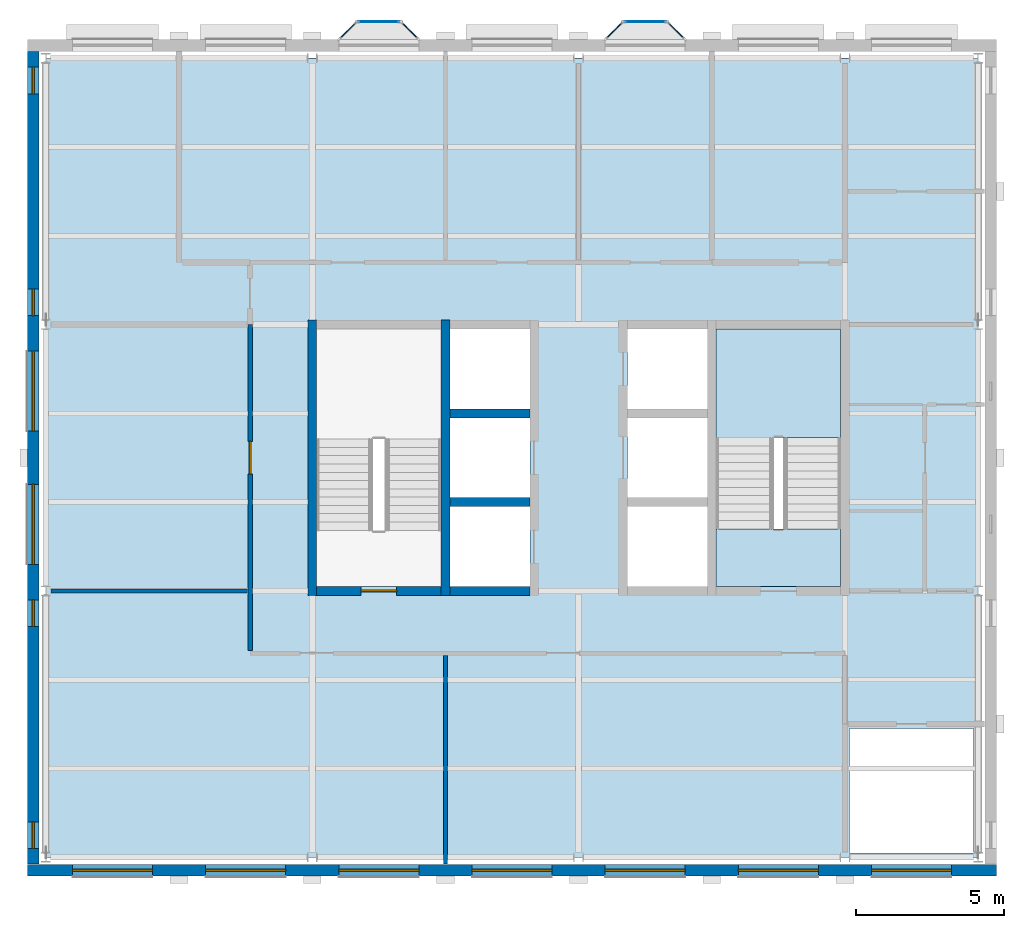
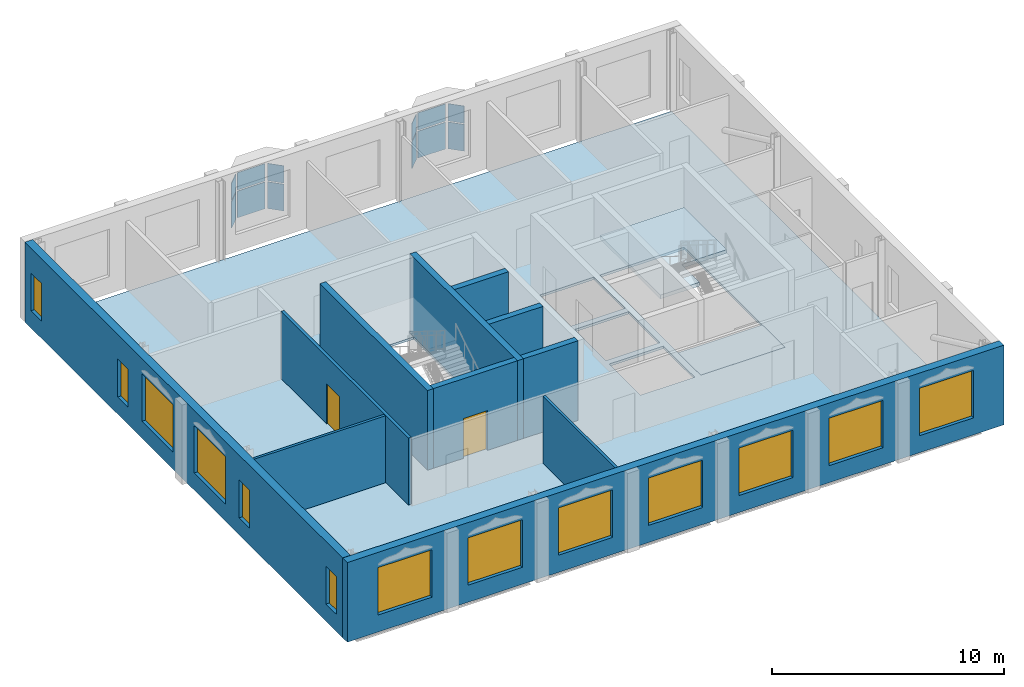
# One storey, part 3 of 9: 13 windows, 12 plates, 11 walls, 3 slabs, 2 doors, 15 openings, 7 elements without a shape of their own.
"""IFC4 building model written with IfcOpenShell, lengths in metres."""

from ifc_helpers import new_model, si_unit, direction, frame, frame_2d, origin, origin_2d, place, context, subcontext, project, spatial, polyline, rectangle, outline, extrude, material, layer, layer_set, type_object, element, fill, aggregate, save


model = new_model("IFC4")

# Units and contexts
model_context = context("Model", 3, precision=1e-05, world=origin(), true_north=direction((0.0, 1.0)))
body_context = subcontext(model_context, "Body", "Model", "MODEL_VIEW")
ifc_project = project(units=[si_unit("LENGTHUNIT", "METRE"), si_unit("AREAUNIT", "SQUARE_METRE"), si_unit("VOLUMEUNIT", "CUBIC_METRE"), si_unit("PLANEANGLEUNIT", "RADIAN"), si_unit("MASSUNIT", "GRAM", prefix="KILO")], contexts=[model_context])

# Site, building, storey
site_placement = place(None, origin())
site = spatial("IfcSite", under=ifc_project, at=site_placement, CompositionType="ELEMENT")
building_placement = place(site_placement, origin())
building = spatial("IfcBuilding", under=site, at=building_placement, Name="Hortulan Conservatory and Botanical Research Centre", CompositionType="ELEMENT")
storey_placement = place(building_placement, frame((0.0, 0.0, 36.0)))
storey = spatial("IfcBuildingStorey", under=building, at=storey_placement, Name="L08", CompositionType="ELEMENT", Elevation=36.0)

# Slab
ifc_material_1 = material(Name="Concrete N32 (32 MPa, AS 3600)", Category="concrete")
ifc_layer_1 = layer(ifc_material_1, 0.1298828125)
ifc_layer_set_1 = layer_set([ifc_layer_1], Name="Composite Floor Slab 130")
slab_type_1 = type_object("IfcSlabType", Name="Composite Floor Slab 130", PredefinedType="FLOOR", material=ifc_layer_set_1)
slab_1_placement = place(storey_placement, frame((0.0, 0.0, -0.1298828125)))
element("IfcSlab", 1, at=slab_1_placement, inside=storey, type_object=slab_type_1, Name="Floor slab", PredefinedType="FLOOR", context=body_context, shape_type="SweptSolid", body=[
    extrude(outline(polyline([(0.0, 0.0), (31.5, 0.0), (31.5, 27.0), (0.0, 27.0), (0.0, 0.0)]), holes=[polyline([(27.14990234375, 4.35009765625), (27.14990234375, 0.14990234375), (31.35009765625, 0.14990234375), (31.35009765625, 4.35009765625), (27.14990234375, 4.35009765625)]), polyline([(13.64990234375, 11.85009765625), (13.64990234375, 9.14990234375), (16.35009765625, 9.14990234375), (16.35009765625, 11.85009765625), (13.64990234375, 11.85009765625)]), polyline([(19.64990234375, 11.85009765625), (19.64990234375, 9.14990234375), (22.35009765625, 9.14990234375), (22.35009765625, 11.85009765625), (19.64990234375, 11.85009765625)]), polyline([(9.14990234375, 17.85009765625), (9.14990234375, 9.14990234375), (13.35009765625, 9.14990234375), (13.35009765625, 17.85009765625), (9.14990234375, 17.85009765625)]), polyline([(13.64990234375, 14.85009765625), (13.64990234375, 12.14990234375), (16.35009765625, 12.14990234375), (16.35009765625, 14.85009765625), (13.64990234375, 14.85009765625)]), polyline([(19.64990234375, 14.85009765625), (19.64990234375, 12.14990234375), (22.35009765625, 12.14990234375), (22.35009765625, 14.85009765625), (19.64990234375, 14.85009765625)]), polyline([(22.64990234375, 17.85009765625), (22.64990234375, 9.14990234375), (26.85009765625, 9.14990234375), (26.85009765625, 17.85009765625), (22.64990234375, 17.85009765625)]), polyline([(16.35009765625, 17.85009765625), (13.64990234375, 17.85009765625), (13.64990234375, 15.14990234375), (16.35009765625, 15.14990234375), (16.35009765625, 17.85009765625)]), polyline([(22.35009765625, 17.85009765625), (19.64990234375, 17.85009765625), (19.64990234375, 15.14990234375), (22.35009765625, 15.14990234375), (22.35009765625, 17.85009765625)])]), origin(), (0.0, 0.0, 1.0), 0.1298828125),
])

# Curtain wall, plates
ifc_material_2 = material(Name="Bronze-finished aluminium", Category="aluminium")
ifc_layer_2 = layer(ifc_material_2, 0.10009765625)
ifc_layer_set_2 = layer_set([ifc_layer_2], Name="Oriel Curtain Wall 1350 module")
curtain_wall_type = type_object("IfcCurtainWallType", Name="Oriel Curtain Wall 1350 module", PredefinedType="NOTDEFINED", material=ifc_layer_set_2)
curtain_wall_1_placement = place(storey_placement, origin())
curtain_wall_1 = element("IfcCurtainWall", 2, at=curtain_wall_1_placement, inside=storey, type_object=curtain_wall_type, Name="Oriel glazing", PredefinedType="NOTDEFINED")
ifc_material_3 = material(Name="Low-e laminated glass", Category="glass")
ifc_layer_3 = layer(ifc_material_3, 0.028076171875)
ifc_layer_set_3 = layer_set([ifc_layer_3], Name="Laminated Glass Panel 28")
plate_type = type_object("IfcPlateType", Name="Laminated Glass Panel 28", PredefinedType="CURTAIN_PANEL", material=ifc_layer_set_3)
plate_1_placement = place(storey_placement, frame((10.199951171875, 27.93603515625, 0.9599609375), z_axis=(0.0, 0.0, 1.0), x_axis=(0.707106781187, 0.707106781187, 0.0)))
plate_1 = element("IfcPlate", 3, at=plate_1_placement, type_object=plate_type, Name="CW2 panel 1.1", PredefinedType="CURTAIN_PANEL", context=body_context, shape_type="SweptSolid", body=[
    extrude(rectangle(XDim=0.728515625, YDim=0.028076171875, at=origin_2d()), origin(), (0.0, 0.0, 1.0), 1.409912109375),
])
plate_2_placement = place(storey_placement, frame((10.199951171875, 27.93603515625, 2.43017578125), z_axis=(0.0, 0.0, 1.0), x_axis=(0.707106781187, 0.707106781187, 0.0)))
plate_2 = element("IfcPlate", 4, at=plate_2_placement, type_object=plate_type, Name="CW2 panel 1.2", PredefinedType="CURTAIN_PANEL", context=body_context, shape_type="SweptSolid", body=[
    extrude(rectangle(XDim=0.728515625, YDim=0.028076171875, at=origin_2d()), origin(), (0.0, 0.0, 1.0), 0.909912109375),
])
aggregate(curtain_wall_1, [plate_1, plate_2])

curtain_wall_2_placement = place(storey_placement, origin())
curtain_wall_2 = element("IfcCurtainWall", 5, at=curtain_wall_2_placement, inside=storey, type_object=curtain_wall_type, Name="Oriel glazing", PredefinedType="NOTDEFINED")
plate_3_placement = place(storey_placement, frame((11.25, 28.236083984375, 0.9599609375), z_axis=(0.0, 0.0, 1.0), x_axis=(1.0, 0.0, 0.0)))
plate_3 = element("IfcPlate", 6, at=plate_3_placement, type_object=plate_type, Name="CW2 panel 1.1", PredefinedType="CURTAIN_PANEL", context=body_context, shape_type="SweptSolid", body=[
    extrude(rectangle(XDim=1.3798828125, YDim=0.028076171875, at=origin_2d()), origin(), (0.0, 0.0, 1.0), 1.409912109375),
])
plate_4_placement = place(storey_placement, frame((11.25, 28.236083984375, 2.43017578125), z_axis=(0.0, 0.0, 1.0), x_axis=(1.0, 0.0, 0.0)))
plate_4 = element("IfcPlate", 7, at=plate_4_placement, type_object=plate_type, Name="CW2 panel 1.2", PredefinedType="CURTAIN_PANEL", context=body_context, shape_type="SweptSolid", body=[
    extrude(rectangle(XDim=1.3798828125, YDim=0.028076171875, at=origin_2d()), origin(), (0.0, 0.0, 1.0), 0.909912109375),
])
aggregate(curtain_wall_2, [plate_3, plate_4])

curtain_wall_3_placement = place(storey_placement, origin())
curtain_wall_3 = element("IfcCurtainWall", 8, at=curtain_wall_3_placement, inside=storey, type_object=curtain_wall_type, Name="Oriel glazing", PredefinedType="NOTDEFINED")
plate_5_placement = place(storey_placement, frame((12.300048828125, 27.93603515625, 0.9599609375), z_axis=(0.0, 0.0, 1.0), x_axis=(0.707106781187, -0.707106781187, 0.0)))
plate_5 = element("IfcPlate", 9, at=plate_5_placement, type_object=plate_type, Name="CW2 panel 1.1", PredefinedType="CURTAIN_PANEL", context=body_context, shape_type="SweptSolid", body=[
    extrude(rectangle(XDim=0.728515625, YDim=0.028076171875, at=origin_2d()), origin(), (0.0, 0.0, 1.0), 1.409912109375),
])
plate_6_placement = place(storey_placement, frame((12.300048828125, 27.93603515625, 2.43017578125), z_axis=(0.0, 0.0, 1.0), x_axis=(0.707106781187, -0.707106781187, 0.0)))
plate_6 = element("IfcPlate", 10, at=plate_6_placement, type_object=plate_type, Name="CW2 panel 1.2", PredefinedType="CURTAIN_PANEL", context=body_context, shape_type="SweptSolid", body=[
    extrude(rectangle(XDim=0.728515625, YDim=0.028076171875, at=origin_2d()), origin(), (0.0, 0.0, 1.0), 0.909912109375),
])
aggregate(curtain_wall_3, [plate_5, plate_6])

curtain_wall_4_placement = place(storey_placement, origin())
curtain_wall_4 = element("IfcCurtainWall", 11, at=curtain_wall_4_placement, inside=storey, type_object=curtain_wall_type, Name="Oriel glazing", PredefinedType="NOTDEFINED")
plate_7_placement = place(storey_placement, frame((19.199951171875, 27.93603515625, 0.9599609375), z_axis=(0.0, 0.0, 1.0), x_axis=(0.707106781187, 0.707106781187, 0.0)))
plate_7 = element("IfcPlate", 12, at=plate_7_placement, type_object=plate_type, Name="CW2 panel 1.1", PredefinedType="CURTAIN_PANEL", context=body_context, shape_type="SweptSolid", body=[
    extrude(rectangle(XDim=0.728515625, YDim=0.028076171875, at=origin_2d()), origin(), (0.0, 0.0, 1.0), 1.409912109375),
])
plate_8_placement = place(storey_placement, frame((19.199951171875, 27.93603515625, 2.43017578125), z_axis=(0.0, 0.0, 1.0), x_axis=(0.707106781187, 0.707106781187, 0.0)))
plate_8 = element("IfcPlate", 13, at=plate_8_placement, type_object=plate_type, Name="CW2 panel 1.2", PredefinedType="CURTAIN_PANEL", context=body_context, shape_type="SweptSolid", body=[
    extrude(rectangle(XDim=0.728515625, YDim=0.028076171875, at=origin_2d()), origin(), (0.0, 0.0, 1.0), 0.909912109375),
])
aggregate(curtain_wall_4, [plate_7, plate_8])

curtain_wall_5_placement = place(storey_placement, origin())
curtain_wall_5 = element("IfcCurtainWall", 14, at=curtain_wall_5_placement, inside=storey, type_object=curtain_wall_type, Name="Oriel glazing", PredefinedType="NOTDEFINED")
plate_9_placement = place(storey_placement, frame((20.25, 28.236083984375, 0.9599609375), z_axis=(0.0, 0.0, 1.0), x_axis=(1.0, 0.0, 0.0)))
plate_9 = element("IfcPlate", 15, at=plate_9_placement, type_object=plate_type, Name="CW2 panel 1.1", PredefinedType="CURTAIN_PANEL", context=body_context, shape_type="SweptSolid", body=[
    extrude(rectangle(XDim=1.3798828125, YDim=0.028076171875, at=origin_2d()), origin(), (0.0, 0.0, 1.0), 1.409912109375),
])
plate_10_placement = place(storey_placement, frame((20.25, 28.236083984375, 2.43017578125), z_axis=(0.0, 0.0, 1.0), x_axis=(1.0, 0.0, 0.0)))
plate_10 = element("IfcPlate", 16, at=plate_10_placement, type_object=plate_type, Name="CW2 panel 1.2", PredefinedType="CURTAIN_PANEL", context=body_context, shape_type="SweptSolid", body=[
    extrude(rectangle(XDim=1.3798828125, YDim=0.028076171875, at=origin_2d()), origin(), (0.0, 0.0, 1.0), 0.909912109375),
])
aggregate(curtain_wall_5, [plate_9, plate_10])

curtain_wall_6_placement = place(storey_placement, origin())
curtain_wall_6 = element("IfcCurtainWall", 17, at=curtain_wall_6_placement, inside=storey, type_object=curtain_wall_type, Name="Oriel glazing", PredefinedType="NOTDEFINED")
plate_11_placement = place(storey_placement, frame((21.300048828125, 27.93603515625, 0.9599609375), z_axis=(0.0, 0.0, 1.0), x_axis=(0.707106781187, -0.707106781187, 0.0)))
plate_11 = element("IfcPlate", 18, at=plate_11_placement, type_object=plate_type, Name="CW2 panel 1.1", PredefinedType="CURTAIN_PANEL", context=body_context, shape_type="SweptSolid", body=[
    extrude(rectangle(XDim=0.728515625, YDim=0.028076171875, at=origin_2d()), origin(), (0.0, 0.0, 1.0), 1.409912109375),
])
plate_12_placement = place(storey_placement, frame((21.300048828125, 27.93603515625, 2.43017578125), z_axis=(0.0, 0.0, 1.0), x_axis=(0.707106781187, -0.707106781187, 0.0)))
plate_12 = element("IfcPlate", 19, at=plate_12_placement, type_object=plate_type, Name="CW2 panel 1.2", PredefinedType="CURTAIN_PANEL", context=body_context, shape_type="SweptSolid", body=[
    extrude(rectangle(XDim=0.728515625, YDim=0.028076171875, at=origin_2d()), origin(), (0.0, 0.0, 1.0), 0.909912109375),
])
aggregate(curtain_wall_6, [plate_11, plate_12])

# Stair, slab
ifc_material_4 = material(Name="Concrete N40 (40 MPa, AS 3600)", Category="concrete")
stair_type = type_object("IfcStairType", Name="Concrete Escape Stair 1950", PredefinedType="HALF_TURN_STAIR", material=ifc_material_4)
stair_placement = place(storey_placement, origin())
stair = element("IfcStair", 20, at=stair_placement, inside=storey, type_object=stair_type, Name="Stair T2 L08", PredefinedType="HALF_TURN_STAIR")
ifc_layer_4 = layer(ifc_material_4, 0.199951171875)
ifc_layer_set_4 = layer_set([ifc_layer_4], Name="Stair Landing 200")
slab_type_2 = type_object("IfcSlabType", Name="Stair Landing 200", PredefinedType="LANDING", material=ifc_layer_set_4)
slab_2_placement = place(storey_placement, frame((0.0, 0.0, 1.89990234375)))
slab_2 = element("IfcSlab", 21, at=slab_2_placement, type_object=slab_type_2, Name="Stair T2 L08 half landing 1", PredefinedType="LANDING", context=body_context, shape_type="SweptSolid", body=[
    extrude(outline(polyline([(26.85009765625, 14.179443359375), (24.60009765625, 14.179443359375), (24.60009765625, 12.639892578125), (22.64990234375, 12.639892578125), (22.64990234375, 14.179443359375), (22.64990234375, 14.179931640625), (22.64990234375, 14.18994140625), (22.64990234375, 17.85009765625), (26.85009765625, 17.85009765625), (26.85009765625, 14.18994140625), (26.85009765625, 14.179931640625), (26.85009765625, 14.179443359375)])), origin(), (0.0, 0.0, 1.0), 0.2001953125),
])
aggregate(stair, [slab_2])

# Slab
slab_3_placement = place(storey_placement, frame((0.0, 0.0, -0.199951171875)))
element("IfcSlab", 22, at=slab_3_placement, inside=storey, type_object=slab_type_2, Name="Stair T2 floor landing L08", PredefinedType="LANDING", context=body_context, shape_type="SweptSolid", body=[
    extrude(outline(polyline([(26.85009765625, 9.14990234375), (22.64990234375, 9.14990234375), (22.64990234375, 11.10009765625), (26.85009765625, 11.10009765625), (26.85009765625, 9.14990234375)])), origin(), (0.0, 0.0, 1.0), 0.199951171875),
])

# Walls
ifc_layer_5 = layer(ifc_material_4, 0.300048828125)
ifc_layer_set_5 = layer_set([ifc_layer_5], Name="Core Wall 300 N40 FRL 240/120/120")
wall_type_1 = type_object("IfcWallType", Name="Core Wall 300 N40 FRL 240/120/120", PredefinedType="SHEAR", material=ifc_layer_set_5)
for number, where, z_axis, x_axis, name in (
    (23, (9.0, 8.85009765625, 0.0), (0.0, 0.0, 1.0), (0.0, 1.0, 0.0), "Reinforced concrete shaft wall"),
    (24, (13.5, 8.85009765625, 0.0), (0.0, 0.0, 1.0), (0.0, 1.0, 0.0), "Reinforced concrete shaft wall"),
):
    element("IfcWall", number, at=place(storey_placement, frame(where, z_axis=z_axis, x_axis=x_axis)), inside=storey, type_object=wall_type_1, Name=name, PredefinedType="SHEAR", context=body_context, shape_type="SweptSolid", body=[
        extrude(rectangle(XDim=9.2998046875, YDim=0.300048828125, at=frame_2d((4.64990234375, 0.0))), origin(), (0.0, 0.0, 1.0), 4.199951171875),
    ])

# Wall, opening, door
wall_1_placement = place(storey_placement, frame((9.14990234375, 9.0, 0.0), z_axis=(0.0, 0.0, 1.0), x_axis=(1.0, 0.0, 0.0)))
wall_1 = element("IfcWall", 25, at=wall_1_placement, inside=storey, type_object=wall_type_1, Name="Reinforced concrete shaft wall", PredefinedType="SHEAR", context=body_context, shape_type="SweptSolid", body=[
    extrude(rectangle(XDim=4.2001953125, YDim=0.300048828125, at=frame_2d((2.10009765625, 0.0))), origin(), (0.0, 0.0, 1.0), 4.199951171875),
])
opening_1_placement = place(wall_1_placement, frame((1.5, 0.0, 0.0)))
opening_1 = element("IfcOpeningElement", 26, at=opening_1_placement, cuts=wall_1, Name="Opening DT5", PredefinedType="OPENING", context=body_context, shape_type="SweptSolid", body=[
    extrude(rectangle(XDim=1.199951171875, YDim=2.10009765625, at=frame_2d((0.60009765625, 1.050048828125))), frame((0.0, 0.159912109375, 0.0), z_axis=(0.0, -1.0, 0.0), x_axis=(1.0, 0.0, 0.0)), (0.0, 0.0, 1.0), 0.320068359375),
])
ifc_material_5 = material(Name="Steel door leaf, insulated", Category="steel")
door_type_1 = type_object("IfcDoorType", Name="Stair Door 1200x2100 FRL -/120/30", OperationType="NOTDEFINED", PredefinedType="DOOR", material=ifc_material_5)
door_1_placement = place(opening_1_placement, origin())
door_1 = element("IfcDoor", 27, at=door_1_placement, inside=storey, type_object=door_type_1, Name="Door DT5 Exit Stair T1", OperationType="SINGLE_SWING_RIGHT", OverallHeight=2.10009765625, OverallWidth=1.199951171875, PredefinedType="DOOR", context=body_context, shape_type="SweptSolid", body=[
    extrude(rectangle(XDim=1.199951171875, YDim=2.10009765625, at=frame_2d((0.60009765625, 1.050048828125))), frame((0.0, 0.02490234375, 0.0), z_axis=(0.0, -1.0, 0.0), x_axis=(1.0, 0.0, 0.0)), (0.0, 0.0, 1.0), 0.050048828125),
])
fill(opening_1, door_1)

# Walls
for number, where, z_axis, x_axis, name in (
    (28, (13.64990234375, 9.0, 0.0), (0.0, 0.0, 1.0), (1.0, 0.0, 0.0), "Reinforced concrete shaft wall"),
    (29, (13.64990234375, 12.0, 0.0), (0.0, 0.0, 1.0), (1.0, 0.0, 0.0), "Reinforced concrete shaft wall"),
    (30, (13.64990234375, 15.0, 0.0), (0.0, 0.0, 1.0), (1.0, 0.0, 0.0), "Reinforced concrete shaft wall"),
):
    element("IfcWall", number, at=place(storey_placement, frame(where, z_axis=z_axis, x_axis=x_axis)), inside=storey, type_object=wall_type_1, Name=name, PredefinedType="SHEAR", context=body_context, shape_type="SweptSolid", body=[
        extrude(rectangle(XDim=2.7001953125, YDim=0.300048828125, at=frame_2d((1.35009765625, 0.0))), origin(), (0.0, 0.0, 1.0), 4.199951171875),
    ])

# Wall, opening, door
ifc_material_6 = material(Name="Plasterboard on steel studs", Category="steel")
ifc_layer_6 = layer(ifc_material_6, 0.14990234375)
ifc_layer_set_6 = layer_set([ifc_layer_6], Name="Corridor Partition 150")
wall_type_2 = type_object("IfcWallType", Name="Corridor Partition 150", PredefinedType="PARTITIONING", material=ifc_layer_set_6)
wall_2_placement = place(storey_placement, frame((6.89990234375, 6.985107421875, 0.0), z_axis=(0.0, 0.0, 1.0), x_axis=(0.0, 1.0, 0.0)))
wall_2 = element("IfcWall", 31, at=wall_2_placement, inside=storey, type_object=wall_type_2, Name="Corridor partition", PredefinedType="PARTITIONING", context=body_context, shape_type="SweptSolid", body=[
    extrude(rectangle(XDim=11.014892578125, YDim=0.14990234375, at=frame_2d((5.50732421875, 0.0))), origin(), (0.0, 0.0, 1.0), 3.537109375),
])
opening_2_placement = place(wall_2_placement, frame((5.965087890625, 0.0, 0.0)))
opening_2 = element("IfcOpeningElement", 32, at=opening_2_placement, cuts=wall_2, Name="Opening DT3", PredefinedType="OPENING", context=body_context, shape_type="SweptSolid", body=[
    extrude(rectangle(XDim=1.10009765625, YDim=2.10009765625, at=frame_2d((0.550048828125, 1.050048828125))), frame((0.0, 0.0849609375, 0.0), z_axis=(0.0, -1.0, 0.0), x_axis=(1.0, 0.0, 0.0)), (0.0, 0.0, 1.0), 0.169921875),
])
ifc_material_7 = material(Name="Timber door leaf with vision panel", Category="wood")
door_type_2 = type_object("IfcDoorType", Name="Laboratory Door 1100x2100", OperationType="NOTDEFINED", PredefinedType="DOOR", material=ifc_material_7)
door_2_placement = place(opening_2_placement, origin())
door_2 = element("IfcDoor", 33, at=door_2_placement, inside=storey, type_object=door_type_2, Name="Door DT3 Chemistry Laboratory", OperationType="SINGLE_SWING_LEFT", OverallHeight=2.10009765625, OverallWidth=1.10009765625, PredefinedType="DOOR", context=body_context, shape_type="SweptSolid", body=[
    extrude(rectangle(XDim=1.10009765625, YDim=2.10009765625, at=frame_2d((0.550048828125, 1.050048828125))), frame((0.0, 0.02490234375, 0.0), z_axis=(0.0, -1.0, 0.0), x_axis=(1.0, 0.0, 0.0)), (0.0, 0.0, 1.0), 0.050048828125),
])
fill(opening_2, door_2)

# Wall, openings, windows
ifc_material_8 = material(Name="Faience-faced brickwork masonry", Category="masonry")
ifc_layer_7 = layer(ifc_material_8, 0.39990234375)
ifc_layer_set_7 = layer_set([ifc_layer_7], Name="Faience-faced Masonry Cavity Wall 400")
wall_type_3 = type_object("IfcWallType", Name="Faience-faced Masonry Cavity Wall 400", PredefinedType="STANDARD", material=ifc_layer_set_7)
wall_3_placement = place(storey_placement, frame((32.125, -0.43603515625, 0.0), z_axis=(0.0, 0.0, 1.0), x_axis=(-1.0, 0.0, 0.0)))
wall_3 = element("IfcWall", 34, at=wall_3_placement, inside=storey, type_object=wall_type_3, Name="E-EW-TW-L08-S1", PredefinedType="STANDARD", context=body_context, shape_type="SweptSolid", body=[
    extrude(rectangle(XDim=32.75, YDim=0.39990234375, at=frame_2d((16.375, 0.0))), origin(), (0.0, 0.0, 1.0), 4.199951171875),
])
opening_3_placement = place(wall_3_placement, frame((28.52490234375, 0.0, 0.89990234375)))
opening_3 = element("IfcOpeningElement", 35, at=opening_3_placement, cuts=wall_3, Name="Opening W4", PredefinedType="OPENING", context=body_context, shape_type="SweptSolid", body=[
    extrude(rectangle(XDim=2.699951171875, YDim=2.5, at=frame_2d((1.35009765625, 1.25))), frame((0.0, 0.2099609375, 0.0), z_axis=(0.0, -1.0, 0.0), x_axis=(1.0, 0.0, 0.0)), (0.0, 0.0, 1.0), 0.419921875),
])
opening_4_placement = place(wall_3_placement, frame((24.02490234375, 0.0, 0.89990234375)))
opening_4 = element("IfcOpeningElement", 36, at=opening_4_placement, cuts=wall_3, Name="Opening W4", PredefinedType="OPENING", context=body_context, shape_type="SweptSolid", body=[
    extrude(rectangle(XDim=2.699951171875, YDim=2.5, at=frame_2d((1.35009765625, 1.25))), frame((0.0, 0.2099609375, 0.0), z_axis=(0.0, -1.0, 0.0), x_axis=(1.0, 0.0, 0.0)), (0.0, 0.0, 1.0), 0.419921875),
])
opening_5_placement = place(wall_3_placement, frame((19.52490234375, 0.0, 0.89990234375)))
opening_5 = element("IfcOpeningElement", 37, at=opening_5_placement, cuts=wall_3, Name="Opening W4", PredefinedType="OPENING", context=body_context, shape_type="SweptSolid", body=[
    extrude(rectangle(XDim=2.699951171875, YDim=2.5, at=frame_2d((1.35009765625, 1.25))), frame((0.0, 0.2099609375, 0.0), z_axis=(0.0, -1.0, 0.0), x_axis=(1.0, 0.0, 0.0)), (0.0, 0.0, 1.0), 0.419921875),
])
opening_6_placement = place(wall_3_placement, frame((15.02490234375, 0.0, 0.89990234375)))
opening_6 = element("IfcOpeningElement", 38, at=opening_6_placement, cuts=wall_3, Name="Opening W4", PredefinedType="OPENING", context=body_context, shape_type="SweptSolid", body=[
    extrude(rectangle(XDim=2.699951171875, YDim=2.5, at=frame_2d((1.35009765625, 1.25))), frame((0.0, 0.2099609375, 0.0), z_axis=(0.0, -1.0, 0.0), x_axis=(1.0, 0.0, 0.0)), (0.0, 0.0, 1.0), 0.419921875),
])
opening_7_placement = place(wall_3_placement, frame((10.52490234375, 0.0, 0.89990234375)))
opening_7 = element("IfcOpeningElement", 39, at=opening_7_placement, cuts=wall_3, Name="Opening W4", PredefinedType="OPENING", context=body_context, shape_type="SweptSolid", body=[
    extrude(rectangle(XDim=2.699951171875, YDim=2.5, at=frame_2d((1.35009765625, 1.25))), frame((0.0, 0.2099609375, 0.0), z_axis=(0.0, -1.0, 0.0), x_axis=(1.0, 0.0, 0.0)), (0.0, 0.0, 1.0), 0.419921875),
])
opening_8_placement = place(wall_3_placement, frame((6.02490234375, 0.0, 0.89990234375)))
opening_8 = element("IfcOpeningElement", 40, at=opening_8_placement, cuts=wall_3, Name="Opening W4", PredefinedType="OPENING", context=body_context, shape_type="SweptSolid", body=[
    extrude(rectangle(XDim=2.699951171875, YDim=2.5, at=frame_2d((1.35009765625, 1.25))), frame((0.0, 0.2099609375, 0.0), z_axis=(0.0, -1.0, 0.0), x_axis=(1.0, 0.0, 0.0)), (0.0, 0.0, 1.0), 0.419921875),
])
opening_9_placement = place(wall_3_placement, frame((1.52490234375, 0.0, 0.89990234375)))
opening_9 = element("IfcOpeningElement", 41, at=opening_9_placement, cuts=wall_3, Name="Opening W4", PredefinedType="OPENING", context=body_context, shape_type="SweptSolid", body=[
    extrude(rectangle(XDim=2.699951171875, YDim=2.5, at=frame_2d((1.35009765625, 1.25))), frame((0.0, 0.2099609375, 0.0), z_axis=(0.0, -1.0, 0.0), x_axis=(1.0, 0.0, 0.0)), (0.0, 0.0, 1.0), 0.419921875),
])
ifc_material_9 = material(Name="Bronze-finished aluminium frame with low-e laminated double glazing", Category="aluminium")
window_type_1 = type_object("IfcWindowType", Name="Faience Window 2700x2500", PartitioningType="SINGLE_PANEL", PredefinedType="WINDOW", material=ifc_material_9)
window_1_placement = place(opening_3_placement, origin())
window_1 = element("IfcWindow", 42, at=window_1_placement, inside=storey, type_object=window_type_1, Name="Faience window", OverallHeight=2.5, OverallWidth=2.699951171875, PartitioningType="SINGLE_PANEL", PredefinedType="WINDOW", context=body_context, shape_type="SweptSolid", body=[
    extrude(rectangle(XDim=2.699951171875, YDim=2.5, at=frame_2d((1.35009765625, 1.25))), frame((0.0, 0.030029296875, 0.0), z_axis=(0.0, -1.0, 0.0), x_axis=(1.0, 0.0, 0.0)), (0.0, 0.0, 1.0), 0.06005859375),
])
fill(opening_3, window_1)
window_2_placement = place(opening_4_placement, origin())
window_2 = element("IfcWindow", 43, at=window_2_placement, inside=storey, type_object=window_type_1, Name="Faience window", OverallHeight=2.5, OverallWidth=2.699951171875, PartitioningType="SINGLE_PANEL", PredefinedType="WINDOW", context=body_context, shape_type="SweptSolid", body=[
    extrude(rectangle(XDim=2.699951171875, YDim=2.5, at=frame_2d((1.35009765625, 1.25))), frame((0.0, 0.030029296875, 0.0), z_axis=(0.0, -1.0, 0.0), x_axis=(1.0, 0.0, 0.0)), (0.0, 0.0, 1.0), 0.06005859375),
])
fill(opening_4, window_2)
window_3_placement = place(opening_5_placement, origin())
window_3 = element("IfcWindow", 44, at=window_3_placement, inside=storey, type_object=window_type_1, Name="Faience window", OverallHeight=2.5, OverallWidth=2.699951171875, PartitioningType="SINGLE_PANEL", PredefinedType="WINDOW", context=body_context, shape_type="SweptSolid", body=[
    extrude(rectangle(XDim=2.699951171875, YDim=2.5, at=frame_2d((1.35009765625, 1.25))), frame((0.0, 0.030029296875, 0.0), z_axis=(0.0, -1.0, 0.0), x_axis=(1.0, 0.0, 0.0)), (0.0, 0.0, 1.0), 0.06005859375),
])
fill(opening_5, window_3)
window_4_placement = place(opening_6_placement, origin())
window_4 = element("IfcWindow", 45, at=window_4_placement, inside=storey, type_object=window_type_1, Name="Faience window", OverallHeight=2.5, OverallWidth=2.699951171875, PartitioningType="SINGLE_PANEL", PredefinedType="WINDOW", context=body_context, shape_type="SweptSolid", body=[
    extrude(rectangle(XDim=2.699951171875, YDim=2.5, at=frame_2d((1.35009765625, 1.25))), frame((0.0, 0.030029296875, 0.0), z_axis=(0.0, -1.0, 0.0), x_axis=(1.0, 0.0, 0.0)), (0.0, 0.0, 1.0), 0.06005859375),
])
fill(opening_6, window_4)
window_5_placement = place(opening_7_placement, origin())
window_5 = element("IfcWindow", 46, at=window_5_placement, inside=storey, type_object=window_type_1, Name="Faience window", OverallHeight=2.5, OverallWidth=2.699951171875, PartitioningType="SINGLE_PANEL", PredefinedType="WINDOW", context=body_context, shape_type="SweptSolid", body=[
    extrude(rectangle(XDim=2.699951171875, YDim=2.5, at=frame_2d((1.35009765625, 1.25))), frame((0.0, 0.030029296875, 0.0), z_axis=(0.0, -1.0, 0.0), x_axis=(1.0, 0.0, 0.0)), (0.0, 0.0, 1.0), 0.06005859375),
])
fill(opening_7, window_5)
window_6_placement = place(opening_8_placement, origin())
window_6 = element("IfcWindow", 47, at=window_6_placement, inside=storey, type_object=window_type_1, Name="Faience window", OverallHeight=2.5, OverallWidth=2.699951171875, PartitioningType="SINGLE_PANEL", PredefinedType="WINDOW", context=body_context, shape_type="SweptSolid", body=[
    extrude(rectangle(XDim=2.699951171875, YDim=2.5, at=frame_2d((1.35009765625, 1.25))), frame((0.0, 0.030029296875, 0.0), z_axis=(0.0, -1.0, 0.0), x_axis=(1.0, 0.0, 0.0)), (0.0, 0.0, 1.0), 0.06005859375),
])
fill(opening_8, window_6)
window_7_placement = place(opening_9_placement, origin())
window_7 = element("IfcWindow", 48, at=window_7_placement, inside=storey, type_object=window_type_1, Name="Faience window", OverallHeight=2.5, OverallWidth=2.699951171875, PartitioningType="SINGLE_PANEL", PredefinedType="WINDOW", context=body_context, shape_type="SweptSolid", body=[
    extrude(rectangle(XDim=2.699951171875, YDim=2.5, at=frame_2d((1.35009765625, 1.25))), frame((0.0, 0.030029296875, 0.0), z_axis=(0.0, -1.0, 0.0), x_axis=(1.0, 0.0, 0.0)), (0.0, 0.0, 1.0), 0.06005859375),
])
fill(opening_9, window_7)

wall_4_placement = place(storey_placement, frame((-0.425048828125, -0.22509765625, 0.0), z_axis=(0.0, 0.0, 1.0), x_axis=(0.0, 1.0, 0.0)))
wall_4 = element("IfcWall", 49, at=wall_4_placement, inside=storey, type_object=wall_type_3, Name="E-EW-TW-L08-W2", PredefinedType="STANDARD", context=body_context, shape_type="SweptSolid", body=[
    extrude(rectangle(XDim=27.4501953125, YDim=0.39990234375, at=frame_2d((13.72509765625, 0.0))), origin(), (0.0, 0.0, 1.0), 4.199951171875),
])
opening_10_placement = place(wall_4_placement, frame((0.52490234375, 0.0, 0.89990234375)))
opening_10 = element("IfcOpeningElement", 50, at=opening_10_placement, cuts=wall_4, Name="Opening W5", PredefinedType="OPENING", context=body_context, shape_type="SweptSolid", body=[
    extrude(rectangle(XDim=0.89990234375, YDim=2.0, at=frame_2d((0.449951171875, 1.0))), frame((0.0, 0.2099609375, 0.0), z_axis=(0.0, -1.0, 0.0), x_axis=(1.0, 0.0, 0.0)), (0.0, 0.0, 1.0), 0.419921875),
])
opening_11_placement = place(wall_4_placement, frame((8.02490234375, 0.0, 0.89990234375)))
opening_11 = element("IfcOpeningElement", 51, at=opening_11_placement, cuts=wall_4, Name="Opening W5", PredefinedType="OPENING", context=body_context, shape_type="SweptSolid", body=[
    extrude(rectangle(XDim=0.89990234375, YDim=2.0, at=frame_2d((0.449951171875, 1.0))), frame((0.0, 0.2099609375, 0.0), z_axis=(0.0, -1.0, 0.0), x_axis=(1.0, 0.0, 0.0)), (0.0, 0.0, 1.0), 0.419921875),
])
opening_12_placement = place(wall_4_placement, frame((10.125, 0.0, 0.89990234375)))
opening_12 = element("IfcOpeningElement", 52, at=opening_12_placement, cuts=wall_4, Name="Opening W4", PredefinedType="OPENING", context=body_context, shape_type="SweptSolid", body=[
    extrude(rectangle(XDim=2.699951171875, YDim=2.5, at=frame_2d((1.35009765625, 1.25))), frame((0.0, 0.2099609375, 0.0), z_axis=(0.0, -1.0, 0.0), x_axis=(1.0, 0.0, 0.0)), (0.0, 0.0, 1.0), 0.419921875),
])
opening_13_placement = place(wall_4_placement, frame((14.625, 0.0, 0.89990234375)))
opening_13 = element("IfcOpeningElement", 53, at=opening_13_placement, cuts=wall_4, Name="Opening W4", PredefinedType="OPENING", context=body_context, shape_type="SweptSolid", body=[
    extrude(rectangle(XDim=2.699951171875, YDim=2.5, at=frame_2d((1.35009765625, 1.25))), frame((0.0, 0.2099609375, 0.0), z_axis=(0.0, -1.0, 0.0), x_axis=(1.0, 0.0, 0.0)), (0.0, 0.0, 1.0), 0.419921875),
])
opening_14_placement = place(wall_4_placement, frame((18.52490234375, 0.0, 0.89990234375)))
opening_14 = element("IfcOpeningElement", 54, at=opening_14_placement, cuts=wall_4, Name="Opening W5", PredefinedType="OPENING", context=body_context, shape_type="SweptSolid", body=[
    extrude(rectangle(XDim=0.89990234375, YDim=2.0, at=frame_2d((0.449951171875, 1.0))), frame((0.0, 0.2099609375, 0.0), z_axis=(0.0, -1.0, 0.0), x_axis=(1.0, 0.0, 0.0)), (0.0, 0.0, 1.0), 0.419921875),
])
opening_15_placement = place(wall_4_placement, frame((26.02490234375, 0.0, 0.89990234375)))
opening_15 = element("IfcOpeningElement", 55, at=opening_15_placement, cuts=wall_4, Name="Opening W5", PredefinedType="OPENING", context=body_context, shape_type="SweptSolid", body=[
    extrude(rectangle(XDim=0.89990234375, YDim=2.0, at=frame_2d((0.449951171875, 1.0))), frame((0.0, 0.2099609375, 0.0), z_axis=(0.0, -1.0, 0.0), x_axis=(1.0, 0.0, 0.0)), (0.0, 0.0, 1.0), 0.419921875),
])
window_type_2 = type_object("IfcWindowType", Name="Faience Pier Window 900x2000", PartitioningType="SINGLE_PANEL", PredefinedType="WINDOW", material=ifc_material_9)
window_8_placement = place(opening_10_placement, origin())
window_8 = element("IfcWindow", 56, at=window_8_placement, inside=storey, type_object=window_type_2, Name="Faience Pier window", OverallHeight=2.0, OverallWidth=0.89990234375, PartitioningType="SINGLE_PANEL", PredefinedType="WINDOW", context=body_context, shape_type="SweptSolid", body=[
    extrude(rectangle(XDim=0.89990234375, YDim=2.0, at=frame_2d((0.449951171875, 1.0))), frame((0.0, 0.030029296875, 0.0), z_axis=(0.0, -1.0, 0.0), x_axis=(1.0, 0.0, 0.0)), (0.0, 0.0, 1.0), 0.06005859375),
])
fill(opening_10, window_8)
window_9_placement = place(opening_11_placement, origin())
window_9 = element("IfcWindow", 57, at=window_9_placement, inside=storey, type_object=window_type_2, Name="Faience Pier window", OverallHeight=2.0, OverallWidth=0.89990234375, PartitioningType="SINGLE_PANEL", PredefinedType="WINDOW", context=body_context, shape_type="SweptSolid", body=[
    extrude(rectangle(XDim=0.89990234375, YDim=2.0, at=frame_2d((0.449951171875, 1.0))), frame((0.0, 0.030029296875, 0.0), z_axis=(0.0, -1.0, 0.0), x_axis=(1.0, 0.0, 0.0)), (0.0, 0.0, 1.0), 0.06005859375),
])
fill(opening_11, window_9)
window_10_placement = place(opening_14_placement, origin())
window_10 = element("IfcWindow", 58, at=window_10_placement, inside=storey, type_object=window_type_2, Name="Faience Pier window", OverallHeight=2.0, OverallWidth=0.89990234375, PartitioningType="SINGLE_PANEL", PredefinedType="WINDOW", context=body_context, shape_type="SweptSolid", body=[
    extrude(rectangle(XDim=0.89990234375, YDim=2.0, at=frame_2d((0.449951171875, 1.0))), frame((0.0, 0.030029296875, 0.0), z_axis=(0.0, -1.0, 0.0), x_axis=(1.0, 0.0, 0.0)), (0.0, 0.0, 1.0), 0.06005859375),
])
fill(opening_14, window_10)
window_11_placement = place(opening_15_placement, origin())
window_11 = element("IfcWindow", 59, at=window_11_placement, inside=storey, type_object=window_type_2, Name="Faience Pier window", OverallHeight=2.0, OverallWidth=0.89990234375, PartitioningType="SINGLE_PANEL", PredefinedType="WINDOW", context=body_context, shape_type="SweptSolid", body=[
    extrude(rectangle(XDim=0.89990234375, YDim=2.0, at=frame_2d((0.449951171875, 1.0))), frame((0.0, 0.030029296875, 0.0), z_axis=(0.0, -1.0, 0.0), x_axis=(1.0, 0.0, 0.0)), (0.0, 0.0, 1.0), 0.06005859375),
])
fill(opening_15, window_11)
window_12_placement = place(opening_12_placement, origin())
window_12 = element("IfcWindow", 60, at=window_12_placement, inside=storey, type_object=window_type_1, Name="Faience window", OverallHeight=2.5, OverallWidth=2.699951171875, PartitioningType="SINGLE_PANEL", PredefinedType="WINDOW", context=body_context, shape_type="SweptSolid", body=[
    extrude(rectangle(XDim=2.699951171875, YDim=2.5, at=frame_2d((1.35009765625, 1.25))), frame((0.0, 0.030029296875, 0.0), z_axis=(0.0, -1.0, 0.0), x_axis=(1.0, 0.0, 0.0)), (0.0, 0.0, 1.0), 0.06005859375),
])
fill(opening_12, window_12)
window_13_placement = place(opening_13_placement, origin())
window_13 = element("IfcWindow", 61, at=window_13_placement, inside=storey, type_object=window_type_1, Name="Faience window", OverallHeight=2.5, OverallWidth=2.699951171875, PartitioningType="SINGLE_PANEL", PredefinedType="WINDOW", context=body_context, shape_type="SweptSolid", body=[
    extrude(rectangle(XDim=2.699951171875, YDim=2.5, at=frame_2d((1.35009765625, 1.25))), frame((0.0, 0.030029296875, 0.0), z_axis=(0.0, -1.0, 0.0), x_axis=(1.0, 0.0, 0.0)), (0.0, 0.0, 1.0), 0.06005859375),
])
fill(opening_13, window_13)

# Walls
ifc_layer_8 = layer(ifc_material_6, 0.125)
ifc_layer_set_8 = layer_set([ifc_layer_8], Name="Partition 125")
wall_type_4 = type_object("IfcWallType", Name="Partition 125", PredefinedType="PARTITIONING", material=ifc_layer_set_8)
wall_5_placement = place(storey_placement, frame((13.5, -0.22607421875, 0.0), z_axis=(0.0, 0.0, 1.0), x_axis=(0.0, 1.0, 0.0)))
element("IfcWall", 62, at=wall_5_placement, inside=storey, type_object=wall_type_4, Name="Partition", PredefinedType="PARTITIONING", context=body_context, shape_type="SweptSolid", body=[
    extrude(rectangle(XDim=7.041015625, YDim=0.125, at=frame_2d((3.5205078125, 0.0))), origin(), (0.0, 0.0, 1.0), 3.537109375),
])
wall_6_placement = place(storey_placement, frame((0.16552734375, 9.0, 0.0), z_axis=(0.0, 0.0, 1.0), x_axis=(1.0, 0.0, 0.0)))
element("IfcWall", 63, at=wall_6_placement, inside=storey, type_object=wall_type_4, Name="Partition", PredefinedType="PARTITIONING", context=body_context, shape_type="SweptSolid", body=[
    extrude(rectangle(XDim=6.6494140625, YDim=0.125, at=frame_2d((3.32470703125, 0.0))), origin(), (0.0, 0.0, 1.0), 3.537109375),
])

save(model, "model.ifc")
